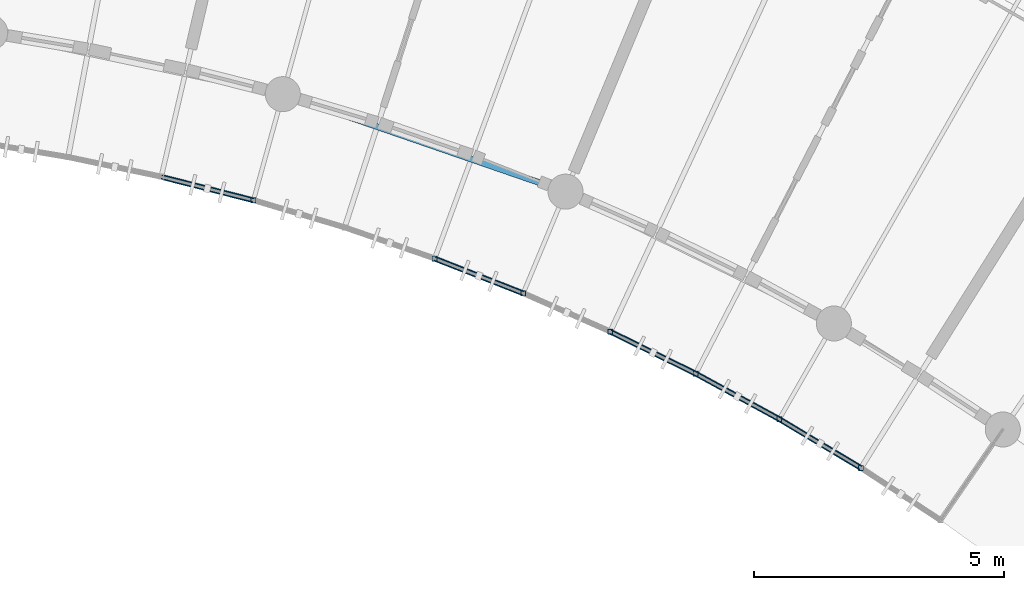
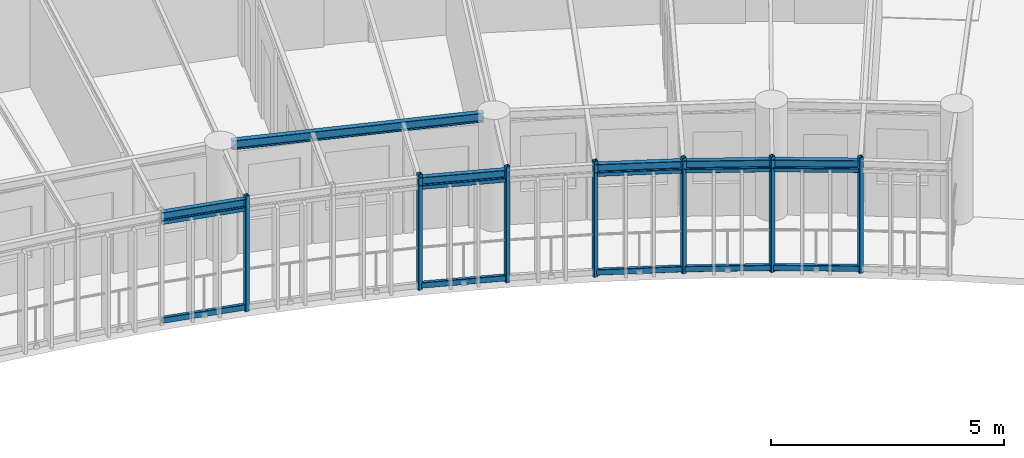
# One storey, part 37 of 100: 17 members, 6 beams.
"""IFC4 building model written with IfcOpenShell, lengths in metres."""

from ifc_helpers import new_model, si_unit, direction, frame, origin, origin_2d, place, context, subcontext, project, spatial, hollow_rectangle, i_section, extrude, material, material_profile, profile_set, type_object, element, save


model = new_model("IFC4")

# Units and contexts
model_context = context("Model", 3, precision=1e-05, world=origin(), true_north=direction((0.0, 1.0)))
body_context = subcontext(model_context, "Body", "Model", "MODEL_VIEW")
ifc_project = project(units=[si_unit("LENGTHUNIT", "METRE"), si_unit("AREAUNIT", "SQUARE_METRE"), si_unit("VOLUMEUNIT", "CUBIC_METRE"), si_unit("PLANEANGLEUNIT", "RADIAN"), si_unit("MASSUNIT", "GRAM", prefix="KILO"), si_unit("POWERUNIT", "WATT"), si_unit("THERMODYNAMICTEMPERATUREUNIT", "KELVIN")], contexts=[model_context])

# Site, building, storey
site_placement = place(None, origin())
site = spatial("IfcSite", under=ifc_project, at=site_placement, CompositionType="ELEMENT")
building_placement = place(site_placement, origin())
building = spatial("IfcBuilding", under=site, at=building_placement, Name="Ruvembo Vaulted Housing Court", CompositionType="ELEMENT")
storey_placement = place(building_placement, frame((0.0, 0.0, 10.89990234375)))
storey = spatial("IfcBuildingStorey", under=building, at=storey_placement, Name="L03", CompositionType="ELEMENT", Elevation=10.89990234375)

# Beams
ifc_material = material(Name="Steel S355J2", Category="steel")
ifc_material_profile_1 = material_profile(ifc_material, i_section(OverallWidth=0.110107421875, OverallDepth=0.219970703125, WebThickness=0.005859375, FlangeThickness=0.00927734375, FilletRadius=0.011962890625, at=origin_2d()), Name="IPE 220")
ifc_profile_set_1 = profile_set([ifc_material_profile_1], Name="Steel S355J2")
beam_type_1 = type_object("IfcBeamType", Name="BM-ST-IPE220", PredefinedType="SPANDREL", material=ifc_profile_set_1)
for number, where, z_axis, x_axis, name in (
    (1, (127.365966796875, 94.611572265625, 2.830078125), (0.969121730429, -0.246582788553, 0.0), (0.246582788553, 0.969121730429, 0.0), "Scoop SC3 L03 Balcony Edge Spandrel 20"),
    (2, (132.826904296875, 92.978515625, 2.830078125), (0.931005720133, -0.365004587752, 0.0), (0.365004587752, 0.931005720133, 0.0), "Scoop SC3 L03 Balcony Edge Spandrel 23"),
):
    element("IfcBeam", number, at=place(storey_placement, frame(where, z_axis=z_axis, x_axis=x_axis)), inside=storey, type_object=beam_type_1, Name=name, PredefinedType="SPANDREL", context=body_context, shape_type="SweptSolid", body=[
        extrude(i_section(OverallWidth=0.110107421875, OverallDepth=0.219970703125, WebThickness=0.005859375, FlangeThickness=0.00927734375, FilletRadius=0.011962890625, at=origin_2d()), origin(), (0.0, 0.0, 1.0), 1.90087890625),
    ])
for number, where, z_axis, x_axis, name in (
    (3, (136.336181640625, 91.51806640625, 2.830078125), (0.897513310314, -0.44098736695, 0.0), (0.44098736695, 0.897513310314, 0.0), "Scoop SC3 L03 Balcony Edge Spandrel 25"),
    (4, (138.04248046875, 90.6796875, 2.830078125), (0.878513214386, -0.477718046706, 0.0), (0.477718046706, 0.878513214386, 0.0), "Scoop SC3 L03 Balcony Edge Spandrel 26"),
    (5, (139.712646484375, 89.771484375, 2.830078125), (0.857889282303, -0.513834583607, 0.0), (0.513834583607, 0.857889282303, 0.0), "Scoop SC3 L03 Balcony Edge Spandrel 27"),
):
    element("IfcBeam", number, at=place(storey_placement, frame(where, z_axis=z_axis, x_axis=x_axis)), inside=storey, type_object=beam_type_1, Name=name, PredefinedType="SPANDREL", context=body_context, shape_type="SweptSolid", body=[
        extrude(i_section(OverallWidth=0.110107421875, OverallDepth=0.219970703125, WebThickness=0.005859375, FlangeThickness=0.00927734375, FilletRadius=0.011962890625, at=origin_2d()), origin(), (0.0, 0.0, 1.0), 1.901123046875),
    ])
ifc_material_profile_2 = material_profile(ifc_material, i_section(OverallWidth=0.1201171875, OverallDepth=0.239990234375, WebThickness=0.006103515625, FlangeThickness=0.009765625, FilletRadius=0.014892578125, at=origin_2d()), Name="IPE 240")
ifc_profile_set_2 = profile_set([ifc_material_profile_2], Name="Steel S355J2")
beam_type_2 = type_object("IfcBeamType", Name="BM-ST-IPE240", PredefinedType="BEAM", material=ifc_profile_set_2)
beam_placement = place(storey_placement, frame((130.01220703125, 96.188232421875, 2.822021484375), z_axis=(0.945373922745, -0.325987954063, 0.0), x_axis=(0.325987954063, 0.945373922745, 0.0)))
element("IfcBeam", 6, at=beam_placement, inside=storey, type_object=beam_type_2, Name="Scoop SC3 L03 Chord Girder F21", PredefinedType="BEAM", context=body_context, shape_type="SweptSolid", body=[
    extrude(i_section(OverallWidth=0.1201171875, OverallDepth=0.239990234375, WebThickness=0.006103515625, FlangeThickness=0.009765625, FilletRadius=0.014892578125, at=origin_2d()), origin(), (0.0, 0.0, 1.0), 5.513671875),
])

# Members
ifc_material_profile_3 = material_profile(ifc_material, hollow_rectangle(XDim=0.06005859375, YDim=0.1201171875, WallThickness=0.0048828125, InnerFilletRadius=0.0048828125, OuterFilletRadius=0.010009765625, at=origin_2d()), Name="RHS 120x60x5")
ifc_profile_set_3 = profile_set([ifc_material_profile_3], Name="Steel S355J2")
member_type_1 = type_object("IfcMemberType", Name="MEM-CAR-RHS120", PredefinedType="CHORD", material=ifc_profile_set_3)
for number, where, z_axis, x_axis, name in (
    (7, (127.365966796875, 94.611572265625, 2.6630859375), (0.969121730429, -0.246582788553, 0.0), (0.246582788553, 0.969121730429, 0.0), "Scoop SC3 L03 Upper Louvre Carrier Rail 20"),
    (8, (132.826904296875, 92.978515625, 2.6630859375), (0.931005720133, -0.365004587752, 0.0), (0.365004587752, 0.931005720133, 0.0), "Scoop SC3 L03 Upper Louvre Carrier Rail 23"),
):
    element("IfcMember", number, at=place(storey_placement, frame(where, z_axis=z_axis, x_axis=x_axis)), inside=storey, type_object=member_type_1, Name=name, PredefinedType="CHORD", context=body_context, shape_type="SweptSolid", body=[
        extrude(hollow_rectangle(XDim=0.06005859375, YDim=0.1201171875, WallThickness=0.0048828125, InnerFilletRadius=0.0048828125, OuterFilletRadius=0.010009765625, at=origin_2d()), origin(), (0.0, 0.0, 1.0), 1.90087890625),
    ])
for number, where, z_axis, x_axis, name in (
    (9, (136.336181640625, 91.51806640625, 2.6630859375), (0.897513310314, -0.44098736695, 0.0), (0.44098736695, 0.897513310314, 0.0), "Scoop SC3 L03 Upper Louvre Carrier Rail 25"),
    (10, (138.04248046875, 90.6796875, 2.6630859375), (0.878513214386, -0.477718046706, 0.0), (0.477718046706, 0.878513214386, 0.0), "Scoop SC3 L03 Upper Louvre Carrier Rail 26"),
    (11, (139.712646484375, 89.771484375, 2.6630859375), (0.857889282303, -0.513834583607, 0.0), (0.513834583607, 0.857889282303, 0.0), "Scoop SC3 L03 Upper Louvre Carrier Rail 27"),
):
    element("IfcMember", number, at=place(storey_placement, frame(where, z_axis=z_axis, x_axis=x_axis)), inside=storey, type_object=member_type_1, Name=name, PredefinedType="CHORD", context=body_context, shape_type="SweptSolid", body=[
        extrude(hollow_rectangle(XDim=0.06005859375, YDim=0.1201171875, WallThickness=0.0048828125, InnerFilletRadius=0.0048828125, OuterFilletRadius=0.010009765625, at=origin_2d()), origin(), (0.0, 0.0, 1.0), 1.901123046875),
    ])
ifc_material_profile_4 = material_profile(ifc_material, hollow_rectangle(XDim=0.080078125, YDim=0.14990234375, WallThickness=0.00634765625, InnerFilletRadius=0.00634765625, OuterFilletRadius=0.0126953125, at=origin_2d()), Name="RHS 150x80x6.3")
ifc_profile_set_4 = profile_set([ifc_material_profile_4], Name="Steel S355J2")
member_type_2 = type_object("IfcMemberType", Name="MEM-CAR-RHS150", PredefinedType="CHORD", material=ifc_profile_set_4)
for number, where, z_axis, x_axis, name in (
    (12, (127.365966796875, 94.611572265625, 0.09521484375), (0.969121730429, -0.246582788553, 0.0), (0.246582788553, 0.969121730429, 0.0), "Scoop SC3 L03 Lower Louvre Carrier Rail 20"),
    (13, (132.826904296875, 92.978515625, 0.09521484375), (0.931005720133, -0.365004587752, 0.0), (0.365004587752, 0.931005720133, 0.0), "Scoop SC3 L03 Lower Louvre Carrier Rail 23"),
):
    element("IfcMember", number, at=place(storey_placement, frame(where, z_axis=z_axis, x_axis=x_axis)), inside=storey, type_object=member_type_2, Name=name, PredefinedType="CHORD", context=body_context, shape_type="SweptSolid", body=[
        extrude(hollow_rectangle(XDim=0.080078125, YDim=0.14990234375, WallThickness=0.00634765625, InnerFilletRadius=0.00634765625, OuterFilletRadius=0.0126953125, at=origin_2d()), origin(), (0.0, 0.0, 1.0), 1.90087890625),
    ])
for number, where, z_axis, x_axis, name in (
    (14, (136.336181640625, 91.51806640625, 0.09521484375), (0.897513310314, -0.44098736695, 0.0), (0.44098736695, 0.897513310314, 0.0), "Scoop SC3 L03 Lower Louvre Carrier Rail 25"),
    (15, (138.04248046875, 90.6796875, 0.09521484375), (0.878513214386, -0.477718046706, 0.0), (0.477718046706, 0.878513214386, 0.0), "Scoop SC3 L03 Lower Louvre Carrier Rail 26"),
    (16, (139.712646484375, 89.771484375, 0.09521484375), (0.857889282303, -0.513834583607, 0.0), (0.513834583607, 0.857889282303, 0.0), "Scoop SC3 L03 Lower Louvre Carrier Rail 27"),
):
    element("IfcMember", number, at=place(storey_placement, frame(where, z_axis=z_axis, x_axis=x_axis)), inside=storey, type_object=member_type_2, Name=name, PredefinedType="CHORD", context=body_context, shape_type="SweptSolid", body=[
        extrude(hollow_rectangle(XDim=0.080078125, YDim=0.14990234375, WallThickness=0.00634765625, InnerFilletRadius=0.00634765625, OuterFilletRadius=0.0126953125, at=origin_2d()), origin(), (0.0, 0.0, 1.0), 1.901123046875),
    ])
ifc_material_profile_5 = material_profile(ifc_material, hollow_rectangle(XDim=0.10009765625, YDim=0.10009765625, WallThickness=0.00634765625, InnerFilletRadius=0.00634765625, OuterFilletRadius=0.0126953125, at=origin_2d()), Name="SHS 100x100x6.3")
ifc_profile_set_5 = profile_set([ifc_material_profile_5], Name="Steel S355J2")
member_type_3 = type_object("IfcMemberType", Name="MEM-FRM-SHS100", PredefinedType="STRUT", material=ifc_profile_set_5)
for number, where, z_axis, x_axis, name in (
    (17, (129.208251953125, 94.142822265625, -0.014892578125), (0.0, 0.0, 1.0), (1.0, 0.0, 0.0), "Scoop SC3 L03 Louvre Frame Post 21"),
    (18, (132.826904296875, 92.978515625, -0.014892578125), (0.0, 0.0, 1.0), (1.0, 0.0, 0.0), "Scoop SC3 L03 Louvre Frame Post 23"),
    (19, (134.5966796875, 92.28466796875, -0.014892578125), (0.0, 0.0, 1.0), (1.0, 0.0, 0.0), "Scoop SC3 L03 Louvre Frame Post 24"),
    (20, (136.336181640625, 91.51806640625, -0.014892578125), (0.0, 0.0, 1.0), (1.0, 0.0, 0.0), "Scoop SC3 L03 Louvre Frame Post 25"),
    (21, (138.04248046875, 90.6796875, -0.014892578125), (0.0, 0.0, 1.0), (1.0, 0.0, 0.0), "Scoop SC3 L03 Louvre Frame Post 26"),
    (22, (139.712646484375, 89.771484375, -0.014892578125), (0.0, 0.0, 1.0), (1.0, 0.0, 0.0), "Scoop SC3 L03 Louvre Frame Post 27"),
    (23, (141.343505859375, 88.794677734375, -0.014892578125), (0.0, 0.0, 1.0), (1.0, 0.0, 0.0), "Scoop SC3 L03 Louvre Frame Post 28"),
):
    element("IfcMember", number, at=place(storey_placement, frame(where, z_axis=z_axis, x_axis=x_axis)), inside=storey, type_object=member_type_3, Name=name, PredefinedType="STRUT", context=body_context, shape_type="SweptSolid", body=[
        extrude(hollow_rectangle(XDim=0.10009765625, YDim=0.10009765625, WallThickness=0.00634765625, InnerFilletRadius=0.00634765625, OuterFilletRadius=0.0126953125, at=origin_2d()), origin(), (0.0, 0.0, 1.0), 3.032958984375),
    ])

save(model, "model.ifc")
